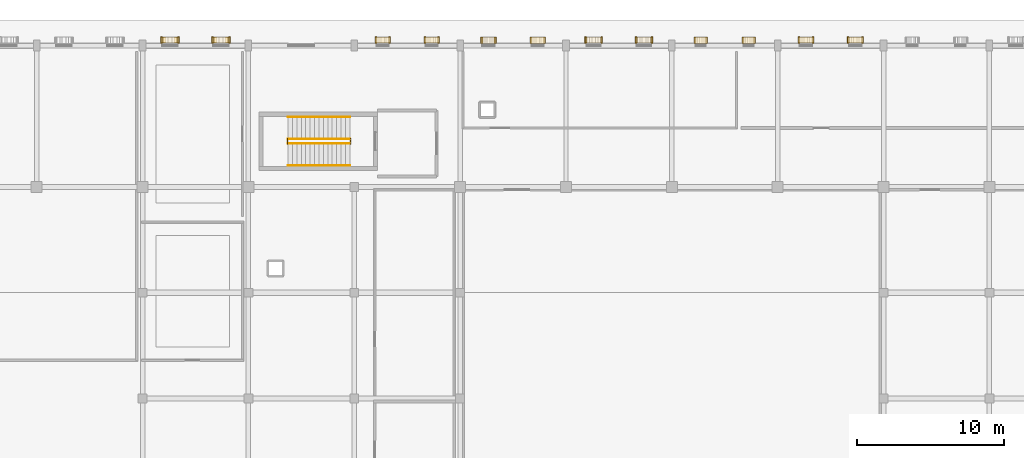
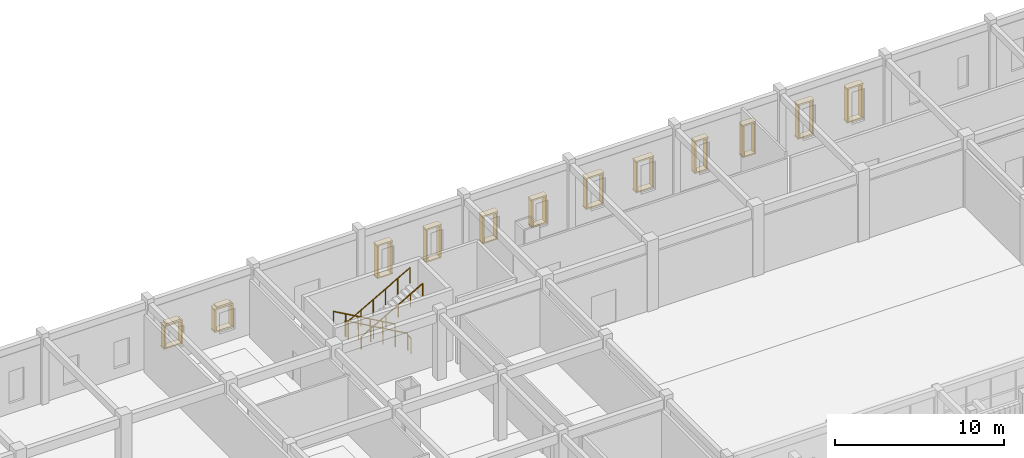
# One storey, part 56 of 72: 50 coverings, 6 railings.
"""IFC4 building model written with IfcOpenShell, lengths in metres."""

from ifc_helpers import new_model, si_unit, direction, frame, origin, origin_2d, place, context, subcontext, project, spatial, rectangle, circle, extrude, material, layer, layer_set, type_object, element, save


model = new_model("IFC4")

# Units and contexts
model_context = context("Model", 3, precision=1e-05, world=origin(), true_north=direction((0.0, 1.0)))
body_context = subcontext(model_context, "Body", "Model", "MODEL_VIEW")
ifc_project = project(units=[si_unit("LENGTHUNIT", "METRE"), si_unit("AREAUNIT", "SQUARE_METRE"), si_unit("VOLUMEUNIT", "CUBIC_METRE"), si_unit("PLANEANGLEUNIT", "RADIAN"), si_unit("MASSUNIT", "GRAM", prefix="KILO")], contexts=[model_context])

# Site, building, storey
site_placement = place(None, origin())
site = spatial("IfcSite", under=ifc_project, at=site_placement, CompositionType="ELEMENT")
building_placement = place(site_placement, origin())
building = spatial("IfcBuilding", under=site, at=building_placement, Name="Nzembalo Square Collegiate School", CompositionType="ELEMENT")
storey_placement = place(building_placement, origin())
storey = spatial("IfcBuildingStorey", under=building, at=storey_placement, Name="L00", CompositionType="ELEMENT", Elevation=0.0)

# Coverings
ifc_material_1 = material(Name="Glazed celadon ceramic window frame")
ifc_layer = layer(ifc_material_1, 0.419921875, Name="Glazed celadon ceramic window frame")
ifc_layer_set = layer_set([ifc_layer], Name="Glazed celadon ceramic window frame")
covering_type = type_object("IfcCoveringType", Name="WF01", PredefinedType="CLADDING", material=ifc_layer_set)
covering_1_placement = place(storey_placement, frame((71.470947265625, 114.385009765625, 2.2548828125), z_axis=(0.0, 0.0, 1.0), x_axis=(1.0, 0.0, 0.0)))
element("IfcCovering", 1, at=covering_1_placement, inside=storey, type_object=covering_type, Name="Deep lancet window hood WF01-0088", PredefinedType="CLADDING", context=body_context, shape_type="SweptSolid", body=[
    extrude(rectangle(XDim=1.2900390625, YDim=0.419921875, at=origin_2d()), origin(), (0.0, 0.0, 1.0), 0.110107421875),
])
covering_2_placement = place(storey_placement, frame((71.470947265625, 114.385009765625, 2.35986328125), z_axis=(0.0, 0.0, 1.0), x_axis=(1.0, 0.0, 0.0)))
element("IfcCovering", 2, at=covering_2_placement, inside=storey, type_object=covering_type, Name="Pointed lancet gable WF01-0088-1", PredefinedType="CLADDING", context=body_context, shape_type="SweptSolid", body=[
    extrude(rectangle(XDim=0.949951171875, YDim=0.419921875, at=origin_2d()), origin(), (0.0, 0.0, 1.0), 0.1201171875),
])
covering_3_placement = place(storey_placement, frame((71.470947265625, 114.385009765625, 0.65478515625), z_axis=(0.0, 0.0, 1.0), x_axis=(1.0, 0.0, 0.0)))
element("IfcCovering", 3, at=covering_3_placement, inside=storey, type_object=covering_type, Name="Deep lancet window sill WF01-0088", PredefinedType="CLADDING", context=body_context, shape_type="SweptSolid", body=[
    extrude(rectangle(XDim=1.2900390625, YDim=0.419921875, at=origin_2d()), origin(), (0.0, 0.0, 1.0), 0.090087890625),
])
for number, where, z_axis, x_axis, name in (
    (4, (70.89111328125, 114.385009765625, 0.75), (0.0, 0.0, 1.0), (1.0, 0.0, 0.0), "Deep lancet window jamb WF01-0088L"),
    (5, (72.051025390625, 114.385009765625, 0.75), (0.0, 0.0, 1.0), (1.0, 0.0, 0.0), "Deep lancet window jamb WF01-0088R"),
):
    element("IfcCovering", number, at=place(storey_placement, frame(where, z_axis=z_axis, x_axis=x_axis)), inside=storey, type_object=covering_type, Name=name, PredefinedType="CLADDING", context=body_context, shape_type="SweptSolid", body=[
        extrude(rectangle(XDim=0.10009765625, YDim=0.419921875, at=origin_2d()), origin(), (0.0, 0.0, 1.0), 1.5),
    ])
covering_4_placement = place(storey_placement, frame((74.928955078125, 114.385009765625, 2.2548828125), z_axis=(0.0, 0.0, 1.0), x_axis=(1.0, 0.0, 0.0)))
element("IfcCovering", 6, at=covering_4_placement, inside=storey, type_object=covering_type, Name="Deep lancet window hood WF01-0089", PredefinedType="CLADDING", context=body_context, shape_type="SweptSolid", body=[
    extrude(rectangle(XDim=1.2900390625, YDim=0.419921875, at=origin_2d()), origin(), (0.0, 0.0, 1.0), 0.110107421875),
])
covering_5_placement = place(storey_placement, frame((74.928955078125, 114.385009765625, 2.35986328125), z_axis=(0.0, 0.0, 1.0), x_axis=(1.0, 0.0, 0.0)))
element("IfcCovering", 7, at=covering_5_placement, inside=storey, type_object=covering_type, Name="Pointed lancet gable WF01-0089-1", PredefinedType="CLADDING", context=body_context, shape_type="SweptSolid", body=[
    extrude(rectangle(XDim=0.949951171875, YDim=0.419921875, at=origin_2d()), origin(), (0.0, 0.0, 1.0), 0.1201171875),
])
covering_6_placement = place(storey_placement, frame((74.928955078125, 114.385009765625, 0.65478515625), z_axis=(0.0, 0.0, 1.0), x_axis=(1.0, 0.0, 0.0)))
element("IfcCovering", 8, at=covering_6_placement, inside=storey, type_object=covering_type, Name="Deep lancet window sill WF01-0089", PredefinedType="CLADDING", context=body_context, shape_type="SweptSolid", body=[
    extrude(rectangle(XDim=1.2900390625, YDim=0.419921875, at=origin_2d()), origin(), (0.0, 0.0, 1.0), 0.090087890625),
])
for number, where, z_axis, x_axis, name in (
    (9, (74.34912109375, 114.385009765625, 0.75), (0.0, 0.0, 1.0), (1.0, 0.0, 0.0), "Deep lancet window jamb WF01-0089L"),
    (10, (75.509033203125, 114.385009765625, 0.75), (0.0, 0.0, 1.0), (1.0, 0.0, 0.0), "Deep lancet window jamb WF01-0089R"),
):
    element("IfcCovering", number, at=place(storey_placement, frame(where, z_axis=z_axis, x_axis=x_axis)), inside=storey, type_object=covering_type, Name=name, PredefinedType="CLADDING", context=body_context, shape_type="SweptSolid", body=[
        extrude(rectangle(XDim=0.10009765625, YDim=0.419921875, at=origin_2d()), origin(), (0.0, 0.0, 1.0), 1.5),
    ])
covering_7_placement = place(storey_placement, frame((85.928466796875, 114.385009765625, 2.97509765625), z_axis=(0.0, 0.0, 1.0), x_axis=(1.0, 0.0, 0.0)))
element("IfcCovering", 11, at=covering_7_placement, inside=storey, type_object=covering_type, Name="Deep lancet window hood WF01-0110", PredefinedType="CLADDING", context=body_context, shape_type="SweptSolid", body=[
    extrude(rectangle(XDim=1.06005859375, YDim=0.419921875, at=origin_2d()), origin(), (0.0, 0.0, 1.0), 0.110107421875),
])
covering_8_placement = place(storey_placement, frame((85.928466796875, 114.385009765625, 0.65478515625), z_axis=(0.0, 0.0, 1.0), x_axis=(1.0, 0.0, 0.0)))
element("IfcCovering", 12, at=covering_8_placement, inside=storey, type_object=covering_type, Name="Deep lancet window sill WF01-0110", PredefinedType="CLADDING", context=body_context, shape_type="SweptSolid", body=[
    extrude(rectangle(XDim=1.06005859375, YDim=0.419921875, at=origin_2d()), origin(), (0.0, 0.0, 1.0), 0.090087890625),
])
for number, where, z_axis, x_axis, name in (
    (13, (85.46337890625, 114.385009765625, 0.75), (0.0, 0.0, 1.0), (1.0, 0.0, 0.0), "Deep lancet window jamb WF01-0110L"),
    (14, (86.3935546875, 114.385009765625, 0.75), (0.0, 0.0, 1.0), (1.0, 0.0, 0.0), "Deep lancet window jamb WF01-0110R"),
):
    element("IfcCovering", number, at=place(storey_placement, frame(where, z_axis=z_axis, x_axis=x_axis)), inside=storey, type_object=covering_type, Name=name, PredefinedType="CLADDING", context=body_context, shape_type="SweptSolid", body=[
        extrude(rectangle(XDim=0.10009765625, YDim=0.419921875, at=origin_2d()), origin(), (0.0, 0.0, 1.0), 2.219970703125),
    ])
covering_9_placement = place(storey_placement, frame((89.271484375, 114.385009765625, 2.97509765625), z_axis=(0.0, 0.0, 1.0), x_axis=(1.0, 0.0, 0.0)))
element("IfcCovering", 15, at=covering_9_placement, inside=storey, type_object=covering_type, Name="Deep lancet window hood WF01-0111", PredefinedType="CLADDING", context=body_context, shape_type="SweptSolid", body=[
    extrude(rectangle(XDim=1.06005859375, YDim=0.419921875, at=origin_2d()), origin(), (0.0, 0.0, 1.0), 0.110107421875),
])
covering_10_placement = place(storey_placement, frame((89.271484375, 114.385009765625, 0.65478515625), z_axis=(0.0, 0.0, 1.0), x_axis=(1.0, 0.0, 0.0)))
element("IfcCovering", 16, at=covering_10_placement, inside=storey, type_object=covering_type, Name="Deep lancet window sill WF01-0111", PredefinedType="CLADDING", context=body_context, shape_type="SweptSolid", body=[
    extrude(rectangle(XDim=1.06005859375, YDim=0.419921875, at=origin_2d()), origin(), (0.0, 0.0, 1.0), 0.090087890625),
])
for number, where, z_axis, x_axis, name in (
    (17, (88.806396484375, 114.385009765625, 0.75), (0.0, 0.0, 1.0), (1.0, 0.0, 0.0), "Deep lancet window jamb WF01-0111L"),
    (18, (89.736572265625, 114.385009765625, 0.75), (0.0, 0.0, 1.0), (1.0, 0.0, 0.0), "Deep lancet window jamb WF01-0111R"),
):
    element("IfcCovering", number, at=place(storey_placement, frame(where, z_axis=z_axis, x_axis=x_axis)), inside=storey, type_object=covering_type, Name=name, PredefinedType="CLADDING", context=body_context, shape_type="SweptSolid", body=[
        extrude(rectangle(XDim=0.10009765625, YDim=0.419921875, at=origin_2d()), origin(), (0.0, 0.0, 1.0), 2.219970703125),
    ])
covering_11_placement = place(storey_placement, frame((93.12841796875, 114.375, 2.57470703125), z_axis=(0.0, 0.0, 1.0), x_axis=(1.0, 0.0, 0.0)))
element("IfcCovering", 19, at=covering_11_placement, inside=storey, type_object=covering_type, Name="Deep lancet window hood WF01-0112", PredefinedType="CLADDING", context=body_context, shape_type="SweptSolid", body=[
    extrude(rectangle(XDim=1.06005859375, YDim=0.419921875, at=origin_2d()), origin(), (0.0, 0.0, 1.0), 0.110107421875),
])
covering_12_placement = place(storey_placement, frame((93.12841796875, 114.375, 0.65478515625), z_axis=(0.0, 0.0, 1.0), x_axis=(1.0, 0.0, 0.0)))
element("IfcCovering", 20, at=covering_12_placement, inside=storey, type_object=covering_type, Name="Deep lancet window sill WF01-0112", PredefinedType="CLADDING", context=body_context, shape_type="SweptSolid", body=[
    extrude(rectangle(XDim=1.06005859375, YDim=0.419921875, at=origin_2d()), origin(), (0.0, 0.0, 1.0), 0.090087890625),
])
for number, where, z_axis, x_axis, name in (
    (21, (92.66357421875, 114.375, 0.75), (0.0, 0.0, 1.0), (1.0, 0.0, 0.0), "Deep lancet window jamb WF01-0112L"),
    (22, (93.593505859375, 114.375, 0.75), (0.0, 0.0, 1.0), (1.0, 0.0, 0.0), "Deep lancet window jamb WF01-0112R"),
):
    element("IfcCovering", number, at=place(storey_placement, frame(where, z_axis=z_axis, x_axis=x_axis)), inside=storey, type_object=covering_type, Name=name, PredefinedType="CLADDING", context=body_context, shape_type="SweptSolid", body=[
        extrude(rectangle(XDim=0.10009765625, YDim=0.419921875, at=origin_2d()), origin(), (0.0, 0.0, 1.0), 1.820068359375),
    ])
covering_13_placement = place(storey_placement, frame((96.471435546875, 114.375, 2.57470703125), z_axis=(0.0, 0.0, 1.0), x_axis=(1.0, 0.0, 0.0)))
element("IfcCovering", 23, at=covering_13_placement, inside=storey, type_object=covering_type, Name="Deep lancet window hood WF01-0113", PredefinedType="CLADDING", context=body_context, shape_type="SweptSolid", body=[
    extrude(rectangle(XDim=1.06005859375, YDim=0.419921875, at=origin_2d()), origin(), (0.0, 0.0, 1.0), 0.110107421875),
])
covering_14_placement = place(storey_placement, frame((96.471435546875, 114.375, 0.65478515625), z_axis=(0.0, 0.0, 1.0), x_axis=(1.0, 0.0, 0.0)))
element("IfcCovering", 24, at=covering_14_placement, inside=storey, type_object=covering_type, Name="Deep lancet window sill WF01-0113", PredefinedType="CLADDING", context=body_context, shape_type="SweptSolid", body=[
    extrude(rectangle(XDim=1.06005859375, YDim=0.419921875, at=origin_2d()), origin(), (0.0, 0.0, 1.0), 0.090087890625),
])
for number, where, z_axis, x_axis, name in (
    (25, (96.006591796875, 114.375, 0.75), (0.0, 0.0, 1.0), (1.0, 0.0, 0.0), "Deep lancet window jamb WF01-0113L"),
    (26, (96.9365234375, 114.375, 0.75), (0.0, 0.0, 1.0), (1.0, 0.0, 0.0), "Deep lancet window jamb WF01-0113R"),
):
    element("IfcCovering", number, at=place(storey_placement, frame(where, z_axis=z_axis, x_axis=x_axis)), inside=storey, type_object=covering_type, Name=name, PredefinedType="CLADDING", context=body_context, shape_type="SweptSolid", body=[
        extrude(rectangle(XDim=0.10009765625, YDim=0.419921875, at=origin_2d()), origin(), (0.0, 0.0, 1.0), 1.820068359375),
    ])
covering_15_placement = place(storey_placement, frame((100.28857421875, 114.385009765625, 2.8349609375), z_axis=(0.0, 0.0, 1.0), x_axis=(1.0, 0.0, 0.0)))
element("IfcCovering", 27, at=covering_15_placement, inside=storey, type_object=covering_type, Name="Deep lancet window hood WF01-0114", PredefinedType="CLADDING", context=body_context, shape_type="SweptSolid", body=[
    extrude(rectangle(XDim=1.219970703125, YDim=0.419921875, at=origin_2d()), origin(), (0.0, 0.0, 1.0), 0.110107421875),
])
covering_16_placement = place(storey_placement, frame((100.28857421875, 114.385009765625, 0.65478515625), z_axis=(0.0, 0.0, 1.0), x_axis=(1.0, 0.0, 0.0)))
element("IfcCovering", 28, at=covering_16_placement, inside=storey, type_object=covering_type, Name="Deep lancet window sill WF01-0114", PredefinedType="CLADDING", context=body_context, shape_type="SweptSolid", body=[
    extrude(rectangle(XDim=1.219970703125, YDim=0.419921875, at=origin_2d()), origin(), (0.0, 0.0, 1.0), 0.090087890625),
])
for number, where, z_axis, x_axis, name in (
    (29, (99.743408203125, 114.385009765625, 0.75), (0.0, 0.0, 1.0), (1.0, 0.0, 0.0), "Deep lancet window jamb WF01-0114L"),
    (30, (100.83349609375, 114.385009765625, 0.75), (0.0, 0.0, 1.0), (1.0, 0.0, 0.0), "Deep lancet window jamb WF01-0114R"),
):
    element("IfcCovering", number, at=place(storey_placement, frame(where, z_axis=z_axis, x_axis=x_axis)), inside=storey, type_object=covering_type, Name=name, PredefinedType="CLADDING", context=body_context, shape_type="SweptSolid", body=[
        extrude(rectangle(XDim=0.10009765625, YDim=0.419921875, at=origin_2d()), origin(), (0.0, 0.0, 1.0), 2.080078125),
    ])
covering_17_placement = place(storey_placement, frame((103.71142578125, 114.385009765625, 2.8349609375), z_axis=(0.0, 0.0, 1.0), x_axis=(1.0, 0.0, 0.0)))
element("IfcCovering", 31, at=covering_17_placement, inside=storey, type_object=covering_type, Name="Deep lancet window hood WF01-0115", PredefinedType="CLADDING", context=body_context, shape_type="SweptSolid", body=[
    extrude(rectangle(XDim=1.219970703125, YDim=0.419921875, at=origin_2d()), origin(), (0.0, 0.0, 1.0), 0.110107421875),
])
covering_18_placement = place(storey_placement, frame((103.71142578125, 114.385009765625, 0.65478515625), z_axis=(0.0, 0.0, 1.0), x_axis=(1.0, 0.0, 0.0)))
element("IfcCovering", 32, at=covering_18_placement, inside=storey, type_object=covering_type, Name="Deep lancet window sill WF01-0115", PredefinedType="CLADDING", context=body_context, shape_type="SweptSolid", body=[
    extrude(rectangle(XDim=1.219970703125, YDim=0.419921875, at=origin_2d()), origin(), (0.0, 0.0, 1.0), 0.090087890625),
])
for number, where, z_axis, x_axis, name in (
    (33, (103.16650390625, 114.385009765625, 0.75), (0.0, 0.0, 1.0), (1.0, 0.0, 0.0), "Deep lancet window jamb WF01-0115L"),
    (34, (104.256591796875, 114.385009765625, 0.75), (0.0, 0.0, 1.0), (1.0, 0.0, 0.0), "Deep lancet window jamb WF01-0115R"),
):
    element("IfcCovering", number, at=place(storey_placement, frame(where, z_axis=z_axis, x_axis=x_axis)), inside=storey, type_object=covering_type, Name=name, PredefinedType="CLADDING", context=body_context, shape_type="SweptSolid", body=[
        extrude(rectangle(XDim=0.10009765625, YDim=0.419921875, at=origin_2d()), origin(), (0.0, 0.0, 1.0), 2.080078125),
    ])
covering_19_placement = place(storey_placement, frame((107.5634765625, 114.375, 2.9150390625), z_axis=(0.0, 0.0, 1.0), x_axis=(1.0, 0.0, 0.0)))
element("IfcCovering", 35, at=covering_19_placement, inside=storey, type_object=covering_type, Name="Deep lancet window hood WF01-0132", PredefinedType="CLADDING", context=body_context, shape_type="SweptSolid", body=[
    extrude(rectangle(XDim=0.919921875, YDim=0.419921875, at=origin_2d()), origin(), (0.0, 0.0, 1.0), 0.110107421875),
])
covering_20_placement = place(storey_placement, frame((107.5634765625, 114.375, 0.65478515625), z_axis=(0.0, 0.0, 1.0), x_axis=(1.0, 0.0, 0.0)))
element("IfcCovering", 36, at=covering_20_placement, inside=storey, type_object=covering_type, Name="Deep lancet window sill WF01-0132", PredefinedType="CLADDING", context=body_context, shape_type="SweptSolid", body=[
    extrude(rectangle(XDim=0.919921875, YDim=0.419921875, at=origin_2d()), origin(), (0.0, 0.0, 1.0), 0.090087890625),
])
for number, where, z_axis, x_axis, name in (
    (37, (107.16845703125, 114.375, 0.75), (0.0, 0.0, 1.0), (1.0, 0.0, 0.0), "Deep lancet window jamb WF01-0132L"),
    (38, (107.95849609375, 114.375, 0.75), (0.0, 0.0, 1.0), (1.0, 0.0, 0.0), "Deep lancet window jamb WF01-0132R"),
):
    element("IfcCovering", number, at=place(storey_placement, frame(where, z_axis=z_axis, x_axis=x_axis)), inside=storey, type_object=covering_type, Name=name, PredefinedType="CLADDING", context=body_context, shape_type="SweptSolid", body=[
        extrude(rectangle(XDim=0.10009765625, YDim=0.419921875, at=origin_2d()), origin(), (0.0, 0.0, 1.0), 2.159912109375),
    ])
covering_21_placement = place(storey_placement, frame((110.83642578125, 114.375, 2.9150390625), z_axis=(0.0, 0.0, 1.0), x_axis=(1.0, 0.0, 0.0)))
element("IfcCovering", 39, at=covering_21_placement, inside=storey, type_object=covering_type, Name="Deep lancet window hood WF01-0133", PredefinedType="CLADDING", context=body_context, shape_type="SweptSolid", body=[
    extrude(rectangle(XDim=0.919921875, YDim=0.419921875, at=origin_2d()), origin(), (0.0, 0.0, 1.0), 0.110107421875),
])
covering_22_placement = place(storey_placement, frame((110.83642578125, 114.375, 0.65478515625), z_axis=(0.0, 0.0, 1.0), x_axis=(1.0, 0.0, 0.0)))
element("IfcCovering", 40, at=covering_22_placement, inside=storey, type_object=covering_type, Name="Deep lancet window sill WF01-0133", PredefinedType="CLADDING", context=body_context, shape_type="SweptSolid", body=[
    extrude(rectangle(XDim=0.919921875, YDim=0.419921875, at=origin_2d()), origin(), (0.0, 0.0, 1.0), 0.090087890625),
])
for number, where, z_axis, x_axis, name in (
    (41, (110.44140625, 114.375, 0.75), (0.0, 0.0, 1.0), (1.0, 0.0, 0.0), "Deep lancet window jamb WF01-0133L"),
    (42, (111.2314453125, 114.375, 0.75), (0.0, 0.0, 1.0), (1.0, 0.0, 0.0), "Deep lancet window jamb WF01-0133R"),
):
    element("IfcCovering", number, at=place(storey_placement, frame(where, z_axis=z_axis, x_axis=x_axis)), inside=storey, type_object=covering_type, Name=name, PredefinedType="CLADDING", context=body_context, shape_type="SweptSolid", body=[
        extrude(rectangle(XDim=0.10009765625, YDim=0.419921875, at=origin_2d()), origin(), (0.0, 0.0, 1.0), 2.159912109375),
    ])
covering_23_placement = place(storey_placement, frame((114.718505859375, 114.385009765625, 3.07470703125), z_axis=(0.0, 0.0, 1.0), x_axis=(1.0, 0.0, 0.0)))
element("IfcCovering", 43, at=covering_23_placement, inside=storey, type_object=covering_type, Name="Deep lancet window hood WF01-0134", PredefinedType="CLADDING", context=body_context, shape_type="SweptSolid", body=[
    extrude(rectangle(XDim=1.10009765625, YDim=0.419921875, at=origin_2d()), origin(), (0.0, 0.0, 1.0), 0.110107421875),
])
covering_24_placement = place(storey_placement, frame((114.718505859375, 114.385009765625, 0.65478515625), z_axis=(0.0, 0.0, 1.0), x_axis=(1.0, 0.0, 0.0)))
element("IfcCovering", 44, at=covering_24_placement, inside=storey, type_object=covering_type, Name="Deep lancet window sill WF01-0134", PredefinedType="CLADDING", context=body_context, shape_type="SweptSolid", body=[
    extrude(rectangle(XDim=1.10009765625, YDim=0.419921875, at=origin_2d()), origin(), (0.0, 0.0, 1.0), 0.090087890625),
])
for number, where, z_axis, x_axis, name in (
    (45, (114.2333984375, 114.385009765625, 0.75), (0.0, 0.0, 1.0), (1.0, 0.0, 0.0), "Deep lancet window jamb WF01-0134L"),
    (46, (115.20361328125, 114.385009765625, 0.75), (0.0, 0.0, 1.0), (1.0, 0.0, 0.0), "Deep lancet window jamb WF01-0134R"),
):
    element("IfcCovering", number, at=place(storey_placement, frame(where, z_axis=z_axis, x_axis=x_axis)), inside=storey, type_object=covering_type, Name=name, PredefinedType="CLADDING", context=body_context, shape_type="SweptSolid", body=[
        extrude(rectangle(XDim=0.10009765625, YDim=0.419921875, at=origin_2d()), origin(), (0.0, 0.0, 1.0), 2.320068359375),
    ])
covering_25_placement = place(storey_placement, frame((118.08154296875, 114.385009765625, 3.07470703125), z_axis=(0.0, 0.0, 1.0), x_axis=(1.0, 0.0, 0.0)))
element("IfcCovering", 47, at=covering_25_placement, inside=storey, type_object=covering_type, Name="Deep lancet window hood WF01-0135", PredefinedType="CLADDING", context=body_context, shape_type="SweptSolid", body=[
    extrude(rectangle(XDim=1.10009765625, YDim=0.419921875, at=origin_2d()), origin(), (0.0, 0.0, 1.0), 0.110107421875),
])
covering_26_placement = place(storey_placement, frame((118.08154296875, 114.385009765625, 0.65478515625), z_axis=(0.0, 0.0, 1.0), x_axis=(1.0, 0.0, 0.0)))
element("IfcCovering", 48, at=covering_26_placement, inside=storey, type_object=covering_type, Name="Deep lancet window sill WF01-0135", PredefinedType="CLADDING", context=body_context, shape_type="SweptSolid", body=[
    extrude(rectangle(XDim=1.10009765625, YDim=0.419921875, at=origin_2d()), origin(), (0.0, 0.0, 1.0), 0.090087890625),
])
for number, where, z_axis, x_axis, name in (
    (49, (117.596435546875, 114.385009765625, 0.75), (0.0, 0.0, 1.0), (1.0, 0.0, 0.0), "Deep lancet window jamb WF01-0135L"),
    (50, (118.56640625, 114.385009765625, 0.75), (0.0, 0.0, 1.0), (1.0, 0.0, 0.0), "Deep lancet window jamb WF01-0135R"),
):
    element("IfcCovering", number, at=place(storey_placement, frame(where, z_axis=z_axis, x_axis=x_axis)), inside=storey, type_object=covering_type, Name=name, PredefinedType="CLADDING", context=body_context, shape_type="SweptSolid", body=[
        extrude(rectangle(XDim=0.10009765625, YDim=0.419921875, at=origin_2d()), origin(), (0.0, 0.0, 1.0), 2.320068359375),
    ])

# Railings
ifc_material_2 = material(Name="Steel S355", Category="steel")
railing_type_1 = type_object("IfcRailingType", Name="GR01", PredefinedType="GUARDRAIL", material=ifc_material_2)
railing_1_placement = place(storey_placement, frame((83.699951171875, 107.64990234375, 0.159912109375)))
element("IfcRailing", 51, at=railing_1_placement, inside=storey, type_object=railing_type_1, Name="Stair guard GR-10-1", PredefinedType="GUARDRAIL", context=body_context, shape_type="SweptSolid", body=[
    extrude(circle(Radius=0.02392578125, at=origin_2d()), frame((0.0, 0.0, 1.1259765625), z_axis=(-0.870008446991, 0.0, 0.493036816236), x_axis=(0.0, -1.0, 0.0)), (0.0, 0.0, 1.0), 4.827392578125),
    extrude(circle(Radius=0.02099609375, at=origin_2d()), origin(), (0.0, 0.0, 1.0), 1.101806640625),
    extrude(circle(Radius=0.02099609375, at=origin_2d()), frame((-0.840087890625, 0.0, 0.47607421875)), (0.0, 0.0, 1.0), 1.101806640625),
    extrude(circle(Radius=0.02099609375, at=origin_2d()), frame((-1.679931640625, 0.0, 0.9521484375)), (0.0, 0.0, 1.0), 1.101806640625),
    extrude(circle(Radius=0.02099609375, at=origin_2d()), frame((-2.52001953125, 0.0, 1.427978515625)), (0.0, 0.0, 1.0), 1.101806640625),
    extrude(circle(Radius=0.02099609375, at=origin_2d()), frame((-3.35986328125, 0.0, 1.904052734375)), (0.0, 0.0, 1.0), 1.101806640625),
    extrude(circle(Radius=0.02099609375, at=origin_2d()), frame((-4.199951171875, 0.0, 2.380126953125)), (0.0, 0.0, 1.0), 1.101806640625),
])
railing_2_placement = place(storey_placement, frame((79.449951171875, 107.320068359375, 2.544921875)))
element("IfcRailing", 52, at=railing_2_placement, inside=storey, type_object=railing_type_1, Name="Stair guard GR-10-2", PredefinedType="GUARDRAIL", context=body_context, shape_type="SweptSolid", body=[
    extrude(circle(Radius=0.02392578125, at=origin_2d()), frame((0.0, 0.0, 1.1259765625), z_axis=(0.0, 1.0, 0.0), x_axis=(-1.0, 0.0, 0.0)), (0.0, 0.0, 1.0), 0.35986328125),
    extrude(circle(Radius=0.02099609375, at=origin_2d()), origin(), (0.0, 0.0, 1.0), 1.101806640625),
    extrude(circle(Radius=0.02099609375, at=origin_2d()), frame((0.0, 0.35986328125, 0.0)), (0.0, 0.0, 1.0), 1.101806640625),
])
railing_3_placement = place(storey_placement, frame((79.5, 107.35009765625, 2.7099609375)))
element("IfcRailing", 53, at=railing_3_placement, inside=storey, type_object=railing_type_1, Name="Stair guard GR-10-3", PredefinedType="GUARDRAIL", context=body_context, shape_type="SweptSolid", body=[
    extrude(circle(Radius=0.02392578125, at=origin_2d()), frame((0.0, 0.0, 1.1259765625), z_axis=(0.870008446991, 0.0, 0.493036816236), x_axis=(0.0, 1.0, 0.0)), (0.0, 0.0, 1.0), 4.827392578125),
    extrude(circle(Radius=0.02099609375, at=origin_2d()), origin(), (0.0, 0.0, 1.0), 1.101806640625),
    extrude(circle(Radius=0.02099609375, at=origin_2d()), frame((0.840087890625, 0.0, 0.47607421875)), (0.0, 0.0, 1.0), 1.101806640625),
    extrude(circle(Radius=0.02099609375, at=origin_2d()), frame((1.679931640625, 0.0, 0.9521484375)), (0.0, 0.0, 1.0), 1.101806640625),
    extrude(circle(Radius=0.02099609375, at=origin_2d()), frame((2.52001953125, 0.0, 1.427978515625)), (0.0, 0.0, 1.0), 1.101806640625),
    extrude(circle(Radius=0.02099609375, at=origin_2d()), frame((3.35986328125, 0.0, 1.904052734375)), (0.0, 0.0, 1.0), 1.101806640625),
    extrude(circle(Radius=0.02099609375, at=origin_2d()), frame((4.199951171875, 0.0, 2.380126953125)), (0.0, 0.0, 1.0), 1.101806640625),
])
railing_4_placement = place(storey_placement, frame((83.75, 107.320068359375, -0.0048828125)))
element("IfcRailing", 54, at=railing_4_placement, inside=storey, type_object=railing_type_1, Name="Stair guard GR-10-4", PredefinedType="GUARDRAIL", context=body_context, shape_type="SweptSolid", body=[
    extrude(circle(Radius=0.02392578125, at=origin_2d()), frame((0.0, 0.0, 1.1259765625), z_axis=(0.0, 1.0, 0.0), x_axis=(-1.0, 0.0, 0.0)), (0.0, 0.0, 1.0), 0.35986328125),
    extrude(circle(Radius=0.02099609375, at=origin_2d()), origin(), (0.0, 0.0, 1.0), 1.101806640625),
    extrude(circle(Radius=0.02099609375, at=origin_2d()), frame((0.0, 0.35986328125, 0.0)), (0.0, 0.0, 1.0), 1.101806640625),
])
ifc_material_3 = material(Name="Steel S355", Category="steel")
railing_type_2 = type_object("IfcRailingType", Name="HR01", PredefinedType="HANDRAIL", material=ifc_material_3)
railing_5_placement = place(storey_placement, frame((83.699951171875, 109.14990234375, 0.159912109375)))
element("IfcRailing", 55, at=railing_5_placement, inside=storey, type_object=railing_type_2, Name="Stair handrail HR-10-1", PredefinedType="HANDRAIL", context=body_context, shape_type="SweptSolid", body=[
    extrude(circle(Radius=0.02392578125, at=origin_2d()), frame((0.0, 0.0, 0.89599609375), z_axis=(-0.870008446991, 0.0, 0.493036816236), x_axis=(0.0, -1.0, 0.0)), (0.0, 0.0, 1.0), 4.827392578125),
    extrude(circle(Radius=0.02099609375, at=origin_2d()), origin(), (0.0, 0.0, 1.0), 0.871826171875),
    extrude(circle(Radius=0.02099609375, at=origin_2d()), frame((-0.840087890625, 0.0, 0.47607421875)), (0.0, 0.0, 1.0), 0.871826171875),
    extrude(circle(Radius=0.02099609375, at=origin_2d()), frame((-1.679931640625, 0.0, 0.9521484375)), (0.0, 0.0, 1.0), 0.871826171875),
    extrude(circle(Radius=0.02099609375, at=origin_2d()), frame((-2.52001953125, 0.0, 1.427978515625)), (0.0, 0.0, 1.0), 0.871826171875),
    extrude(circle(Radius=0.02099609375, at=origin_2d()), frame((-3.35986328125, 0.0, 1.904052734375)), (0.0, 0.0, 1.0), 0.871826171875),
    extrude(circle(Radius=0.02099609375, at=origin_2d()), frame((-4.199951171875, 0.0, 2.380126953125)), (0.0, 0.0, 1.0), 0.871826171875),
])
railing_6_placement = place(storey_placement, frame((79.5, 105.85009765625, 2.7099609375)))
element("IfcRailing", 56, at=railing_6_placement, inside=storey, type_object=railing_type_2, Name="Stair handrail HR-10-2", PredefinedType="HANDRAIL", context=body_context, shape_type="SweptSolid", body=[
    extrude(circle(Radius=0.02392578125, at=origin_2d()), frame((0.0, 0.0, 0.89599609375), z_axis=(0.870008446991, 0.0, 0.493036816236), x_axis=(0.0, 1.0, 0.0)), (0.0, 0.0, 1.0), 4.827392578125),
    extrude(circle(Radius=0.02099609375, at=origin_2d()), origin(), (0.0, 0.0, 1.0), 0.871826171875),
    extrude(circle(Radius=0.02099609375, at=origin_2d()), frame((0.840087890625, 0.0, 0.47607421875)), (0.0, 0.0, 1.0), 0.871826171875),
    extrude(circle(Radius=0.02099609375, at=origin_2d()), frame((1.679931640625, 0.0, 0.9521484375)), (0.0, 0.0, 1.0), 0.871826171875),
    extrude(circle(Radius=0.02099609375, at=origin_2d()), frame((2.52001953125, 0.0, 1.427978515625)), (0.0, 0.0, 1.0), 0.871826171875),
    extrude(circle(Radius=0.02099609375, at=origin_2d()), frame((3.35986328125, 0.0, 1.904052734375)), (0.0, 0.0, 1.0), 0.871826171875),
    extrude(circle(Radius=0.02099609375, at=origin_2d()), frame((4.199951171875, 0.0, 2.380126953125)), (0.0, 0.0, 1.0), 0.871826171875),
])

save(model, "model.ifc")
